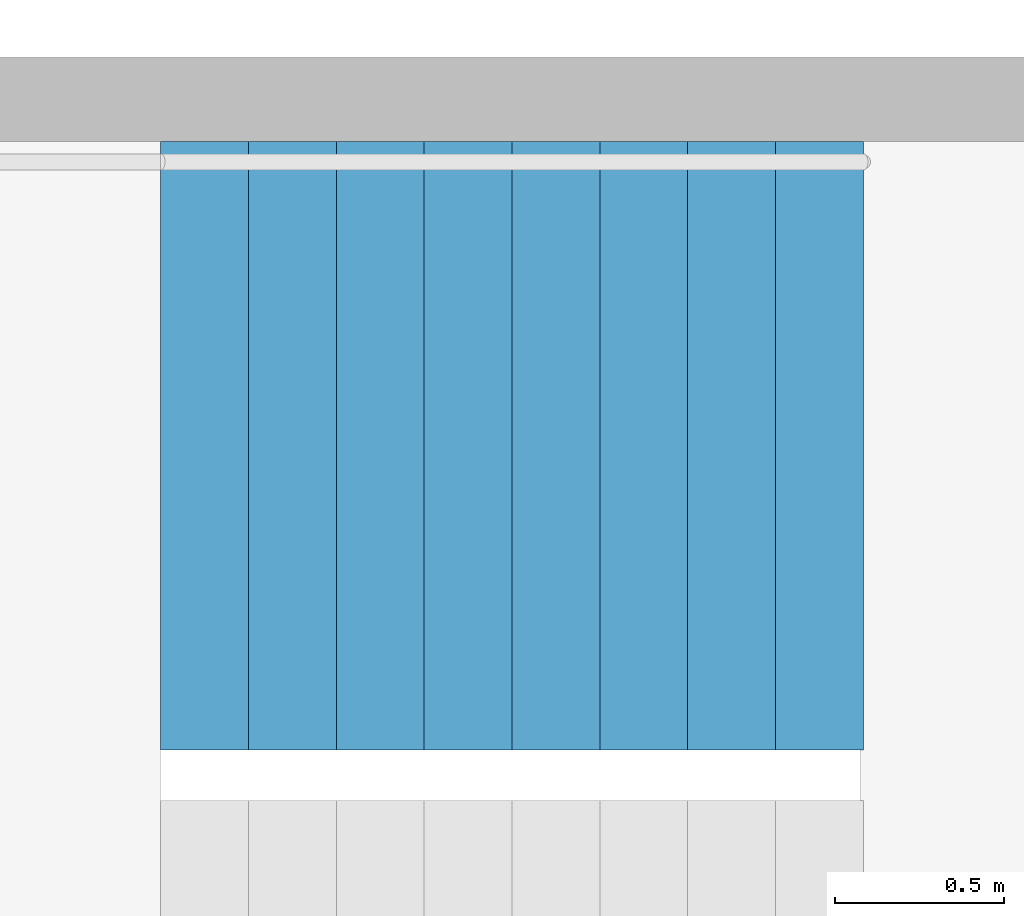
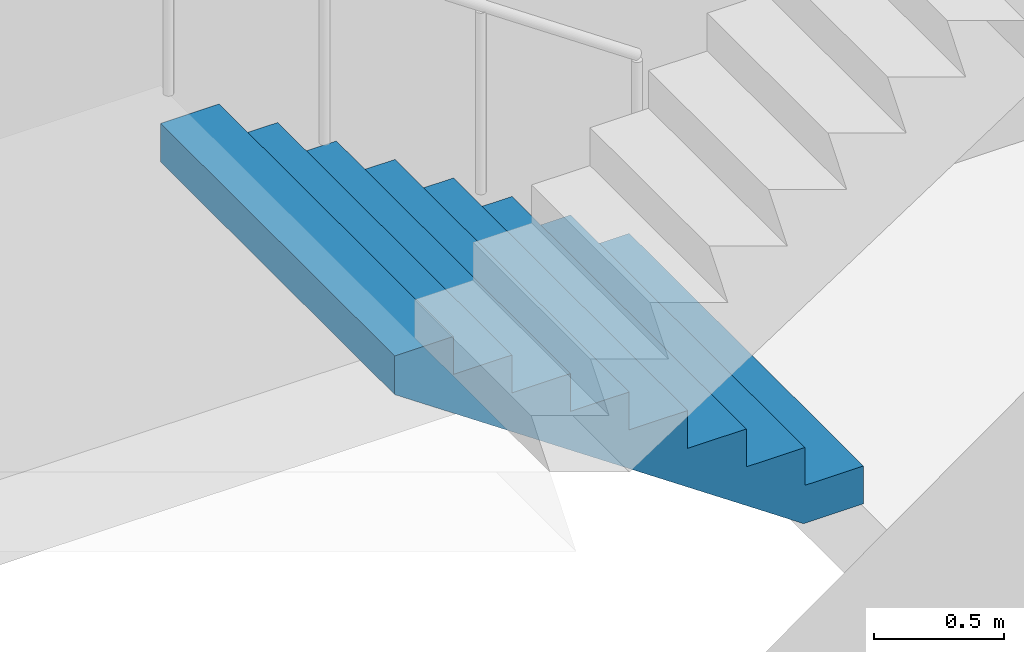
# One storey, part 22 of 29: 1 stair flight, 1 element without a shape of its own.
"""IFC4 building model written with IfcOpenShell, lengths in metres."""

from ifc_helpers import new_model, si_unit, direction, frame, origin, place, context, subcontext, project, spatial, triangles, material, type_object, element, aggregate, save


model = new_model("IFC4")

# Units and contexts
model_context = context("Model", 3, precision=1e-05, world=origin(), true_north=direction((0.0, 1.0)))
body_context = subcontext(model_context, "Body", "Model", "MODEL_VIEW")
ifc_project = project(units=[si_unit("LENGTHUNIT", "METRE"), si_unit("AREAUNIT", "SQUARE_METRE"), si_unit("VOLUMEUNIT", "CUBIC_METRE"), si_unit("PLANEANGLEUNIT", "RADIAN"), si_unit("MASSUNIT", "GRAM", prefix="KILO")], contexts=[model_context])

# Site, building, storey
site_placement = place(None, origin())
site = spatial("IfcSite", under=ifc_project, at=site_placement, CompositionType="ELEMENT")
building_placement = place(site_placement, origin())
building = spatial("IfcBuilding", under=site, at=building_placement, Name="Hakoniwa Tower and Hamabe Station Hall", CompositionType="ELEMENT")
storey_placement = place(building_placement, frame((0.0, 0.0, 61.39990234375)))
storey = spatial("IfcBuildingStorey", under=building, at=storey_placement, Name="L17", CompositionType="ELEMENT", Elevation=61.39990234375)

# Stair, stair flight
ifc_material_1 = material(Name="Concrete C40", Category="concrete")
stair_type = type_object("IfcStairType", Name="ESCAPE STAIR 1800", PredefinedType="HALF_TURN_STAIR", material=ifc_material_1)
stair_placement = place(storey_placement, origin())
stair = element("IfcStair", 1, at=stair_placement, inside=storey, type_object=stair_type, Name="Escape stair ST-2 L17", PredefinedType="HALF_TURN_STAIR")
ifc_material_2 = material(Name="Concrete C40", Category="concrete")
stair_flight_type = type_object("IfcStairFlightType", Name="STAIR FLIGHT 1800", PredefinedType="STRAIGHT", material=ifc_material_2)
stair_flight_placement = place(storey_placement, frame((-23.39990234375, -4.64990234375, 0.0), z_axis=(0.0, 0.0, 1.0), x_axis=(-1.0, 0.0, 0.0)))
stair_flight = element("IfcStairFlight", 2, at=stair_flight_placement, type_object=stair_flight_type, Name="ST-2 flight 1", NumberOfRisers=9, NumberOfTreads=8, PredefinedType="STRAIGHT", RiserHeight=0.177777778, TreadLength=0.26, context=body_context, shape_type="Tessellation", body=[
    triangles([(0.0, 0.89990234375, 0.0), (0.260009765625, 0.89990234375, 0.0), (0.265625, 0.89990234375, 0.0), (0.52001953125, 0.89990234375, 0.174072265625), (0.780029296875, 0.89990234375, 0.351806640625), (1.0400390625, 0.89990234375, 0.529541015625), (1.300048828125, 0.89990234375, 0.707275390625), (1.56005859375, 0.89990234375, 0.885009765625), (1.820068359375, 0.89990234375, 1.062744140625), (2.080078125, 0.89990234375, 1.24072265625), (2.080078125, 0.89990234375, 1.422119140625), (1.820068359375, 0.89990234375, 1.422119140625), (1.820068359375, 0.89990234375, 1.244384765625), (1.56005859375, 0.89990234375, 1.244384765625), (1.56005859375, 0.89990234375, 1.066650390625), (1.300048828125, 0.89990234375, 1.066650390625), (1.300048828125, 0.89990234375, 0.888916015625), (1.0400390625, 0.89990234375, 0.888916015625), (1.0400390625, 0.89990234375, 0.711181640625), (0.780029296875, 0.89990234375, 0.711181640625), (0.780029296875, 0.89990234375, 0.533447265625), (0.52001953125, 0.89990234375, 0.533447265625), (0.52001953125, 0.89990234375, 0.35546875), (0.265625, 0.89990234375, 0.35546875), (0.260009765625, 0.89990234375, 0.35546875), (0.260009765625, 0.89990234375, 0.177734375), (0.0, 0.89990234375, 0.177734375), (0.0, 0.06005859375, 0.0), (0.260009765625, 0.06005859375, 0.0), (0.265625, 0.06005859375, 0.0), (0.52001953125, 0.06005859375, 0.174072265625), (0.780029296875, 0.06005859375, 0.351806640625), (1.0400390625, 0.06005859375, 0.529541015625), (1.300048828125, 0.06005859375, 0.707275390625), (1.56005859375, 0.06005859375, 0.885009765625), (1.820068359375, 0.06005859375, 1.062744140625), (2.080078125, 0.06005859375, 1.24072265625), (2.080078125, 0.06005859375, 1.422119140625), (1.820068359375, 0.06005859375, 1.422119140625), (1.820068359375, 0.06005859375, 1.244384765625), (1.56005859375, 0.06005859375, 1.244384765625), (1.56005859375, 0.06005859375, 1.066650390625), (1.300048828125, 0.06005859375, 1.066650390625), (1.300048828125, 0.06005859375, 0.888916015625), (1.0400390625, 0.06005859375, 0.888916015625), (1.0400390625, 0.06005859375, 0.711181640625), (0.780029296875, 0.06005859375, 0.711181640625), (0.780029296875, 0.06005859375, 0.533447265625), (0.52001953125, 0.06005859375, 0.533447265625), (0.52001953125, 0.06005859375, 0.35546875), (0.265625, 0.06005859375, 0.35546875), (0.260009765625, 0.06005859375, 0.35546875), (0.260009765625, 0.06005859375, 0.177734375), (0.0, 0.06005859375, 0.177734375), (0.0, 0.04296875, 0.0), (0.260009765625, 0.04296875, 0.0), (0.265625, 0.04296875, 0.0), (0.52001953125, 0.04296875, 0.174072265625), (0.780029296875, 0.04296875, 0.351806640625), (1.0400390625, 0.04296875, 0.529541015625), (1.300048828125, 0.04296875, 0.707275390625), (1.56005859375, 0.04296875, 0.885009765625), (1.820068359375, 0.04296875, 1.062744140625), (2.080078125, 0.04296875, 1.24072265625), (2.080078125, 0.04296875, 1.422119140625), (1.820068359375, 0.04296875, 1.422119140625), (1.820068359375, 0.04296875, 1.244384765625), (1.56005859375, 0.04296875, 1.244384765625), (1.56005859375, 0.04296875, 1.066650390625), (1.300048828125, 0.04296875, 1.066650390625), (1.300048828125, 0.04296875, 0.888916015625), (1.0400390625, 0.04296875, 0.888916015625), (1.0400390625, 0.04296875, 0.711181640625), (0.780029296875, 0.04296875, 0.711181640625), (0.780029296875, 0.04296875, 0.533447265625), (0.52001953125, 0.04296875, 0.533447265625), (0.52001953125, 0.04296875, 0.35546875), (0.265625, 0.04296875, 0.35546875), (0.260009765625, 0.04296875, 0.35546875), (0.260009765625, 0.04296875, 0.177734375), (0.0, 0.04296875, 0.177734375), (0.0, 0.025634765625, 0.0), (0.260009765625, 0.025634765625, 0.0), (0.265625, 0.025634765625, 0.0), (0.52001953125, 0.025634765625, 0.174072265625), (0.780029296875, 0.025634765625, 0.351806640625), (1.0400390625, 0.025634765625, 0.529541015625), (1.300048828125, 0.025634765625, 0.707275390625), (1.56005859375, 0.025634765625, 0.885009765625), (1.820068359375, 0.025634765625, 1.062744140625), (2.080078125, 0.025634765625, 1.24072265625), (2.080078125, 0.025634765625, 1.422119140625), (1.820068359375, 0.025634765625, 1.422119140625), (1.820068359375, 0.025634765625, 1.244384765625), (1.56005859375, 0.025634765625, 1.244384765625), (1.56005859375, 0.025634765625, 1.066650390625), (1.300048828125, 0.025634765625, 1.066650390625), (1.300048828125, 0.025634765625, 0.888916015625), (1.0400390625, 0.025634765625, 0.888916015625), (1.0400390625, 0.025634765625, 0.711181640625), (0.780029296875, 0.025634765625, 0.711181640625), (0.780029296875, 0.025634765625, 0.533447265625), (0.52001953125, 0.025634765625, 0.533447265625), (0.52001953125, 0.025634765625, 0.35546875), (0.265625, 0.025634765625, 0.35546875), (0.260009765625, 0.025634765625, 0.35546875), (0.260009765625, 0.025634765625, 0.177734375), (0.0, 0.025634765625, 0.177734375), (0.0, 0.008544921875, 0.0), (0.260009765625, 0.008544921875, 0.0), (0.265625, 0.008544921875, 0.0), (0.52001953125, 0.008544921875, 0.174072265625), (0.780029296875, 0.008544921875, 0.351806640625), (1.0400390625, 0.008544921875, 0.529541015625), (1.300048828125, 0.008544921875, 0.707275390625), (1.56005859375, 0.008544921875, 0.885009765625), (1.820068359375, 0.008544921875, 1.062744140625), (2.080078125, 0.008544921875, 1.24072265625), (2.080078125, 0.008544921875, 1.422119140625), (1.820068359375, 0.008544921875, 1.422119140625), (1.820068359375, 0.008544921875, 1.244384765625), (1.56005859375, 0.008544921875, 1.244384765625), (1.56005859375, 0.008544921875, 1.066650390625), (1.300048828125, 0.008544921875, 1.066650390625), (1.300048828125, 0.008544921875, 0.888916015625), (1.0400390625, 0.008544921875, 0.888916015625), (1.0400390625, 0.008544921875, 0.711181640625), (0.780029296875, 0.008544921875, 0.711181640625), (0.780029296875, 0.008544921875, 0.533447265625), (0.52001953125, 0.008544921875, 0.533447265625), (0.52001953125, 0.008544921875, 0.35546875), (0.265625, 0.008544921875, 0.35546875), (0.260009765625, 0.008544921875, 0.35546875), (0.260009765625, 0.008544921875, 0.177734375), (0.0, 0.008544921875, 0.177734375), (0.0, -0.008544921875, 0.0), (0.260009765625, -0.008544921875, 0.0), (0.265625, -0.008544921875, 0.0), (0.52001953125, -0.008544921875, 0.174072265625), (0.780029296875, -0.008544921875, 0.351806640625), (1.0400390625, -0.008544921875, 0.529541015625), (1.300048828125, -0.008544921875, 0.707275390625), (1.56005859375, -0.008544921875, 0.885009765625), (1.820068359375, -0.008544921875, 1.062744140625), (2.080078125, -0.008544921875, 1.24072265625), (2.080078125, -0.008544921875, 1.422119140625), (1.820068359375, -0.008544921875, 1.422119140625), (1.820068359375, -0.008544921875, 1.244384765625), (1.56005859375, -0.008544921875, 1.244384765625), (1.56005859375, -0.008544921875, 1.066650390625), (1.300048828125, -0.008544921875, 1.066650390625), (1.300048828125, -0.008544921875, 0.888916015625), (1.0400390625, -0.008544921875, 0.888916015625), (1.0400390625, -0.008544921875, 0.711181640625), (0.780029296875, -0.008544921875, 0.711181640625), (0.780029296875, -0.008544921875, 0.533447265625), (0.52001953125, -0.008544921875, 0.533447265625), (0.52001953125, -0.008544921875, 0.35546875), (0.265625, -0.008544921875, 0.35546875), (0.260009765625, -0.008544921875, 0.35546875), (0.260009765625, -0.008544921875, 0.177734375), (0.0, -0.008544921875, 0.177734375), (0.0, -0.025634765625, 0.0), (0.260009765625, -0.025634765625, 0.0), (0.265625, -0.025634765625, 0.0), (0.52001953125, -0.025634765625, 0.174072265625), (0.780029296875, -0.025634765625, 0.351806640625), (1.0400390625, -0.025634765625, 0.529541015625), (1.300048828125, -0.025634765625, 0.707275390625), (1.56005859375, -0.025634765625, 0.885009765625), (1.820068359375, -0.025634765625, 1.062744140625), (2.080078125, -0.025634765625, 1.24072265625), (2.080078125, -0.025634765625, 1.422119140625), (1.820068359375, -0.025634765625, 1.422119140625), (1.820068359375, -0.025634765625, 1.244384765625), (1.56005859375, -0.025634765625, 1.244384765625), (1.56005859375, -0.025634765625, 1.066650390625), (1.300048828125, -0.025634765625, 1.066650390625), (1.300048828125, -0.025634765625, 0.888916015625), (1.0400390625, -0.025634765625, 0.888916015625), (1.0400390625, -0.025634765625, 0.711181640625), (0.780029296875, -0.025634765625, 0.711181640625), (0.780029296875, -0.025634765625, 0.533447265625), (0.52001953125, -0.025634765625, 0.533447265625), (0.52001953125, -0.025634765625, 0.35546875), (0.265625, -0.025634765625, 0.35546875), (0.260009765625, -0.025634765625, 0.35546875), (0.260009765625, -0.025634765625, 0.177734375), (0.0, -0.025634765625, 0.177734375), (0.0, -0.04296875, 0.0), (0.260009765625, -0.04296875, 0.0), (0.265625, -0.04296875, 0.0), (0.52001953125, -0.04296875, 0.174072265625), (0.780029296875, -0.04296875, 0.351806640625), (1.0400390625, -0.04296875, 0.529541015625), (1.300048828125, -0.04296875, 0.707275390625), (1.56005859375, -0.04296875, 0.885009765625), (1.820068359375, -0.04296875, 1.062744140625), (2.080078125, -0.04296875, 1.24072265625), (2.080078125, -0.04296875, 1.422119140625), (1.820068359375, -0.04296875, 1.422119140625), (1.820068359375, -0.04296875, 1.244384765625), (1.56005859375, -0.04296875, 1.244384765625), (1.56005859375, -0.04296875, 1.066650390625), (1.300048828125, -0.04296875, 1.066650390625), (1.300048828125, -0.04296875, 0.888916015625), (1.0400390625, -0.04296875, 0.888916015625), (1.0400390625, -0.04296875, 0.711181640625), (0.780029296875, -0.04296875, 0.711181640625), (0.780029296875, -0.04296875, 0.533447265625), (0.52001953125, -0.04296875, 0.533447265625), (0.52001953125, -0.04296875, 0.35546875), (0.265625, -0.04296875, 0.35546875), (0.260009765625, -0.04296875, 0.35546875), (0.260009765625, -0.04296875, 0.177734375), (0.0, -0.04296875, 0.177734375), (0.0, -0.06005859375, 0.0), (0.260009765625, -0.06005859375, 0.0), (0.265625, -0.06005859375, 0.0), (0.52001953125, -0.06005859375, 0.174072265625), (0.780029296875, -0.06005859375, 0.351806640625), (1.0400390625, -0.06005859375, 0.529541015625), (1.300048828125, -0.06005859375, 0.707275390625), (1.56005859375, -0.06005859375, 0.885009765625), (1.820068359375, -0.06005859375, 1.062744140625), (2.080078125, -0.06005859375, 1.24072265625), (2.080078125, -0.06005859375, 1.422119140625), (1.820068359375, -0.06005859375, 1.422119140625), (1.820068359375, -0.06005859375, 1.244384765625), (1.56005859375, -0.06005859375, 1.244384765625), (1.56005859375, -0.06005859375, 1.066650390625), (1.300048828125, -0.06005859375, 1.066650390625), (1.300048828125, -0.06005859375, 0.888916015625), (1.0400390625, -0.06005859375, 0.888916015625), (1.0400390625, -0.06005859375, 0.711181640625), (0.780029296875, -0.06005859375, 0.711181640625), (0.780029296875, -0.06005859375, 0.533447265625), (0.52001953125, -0.06005859375, 0.533447265625), (0.52001953125, -0.06005859375, 0.35546875), (0.265625, -0.06005859375, 0.35546875), (0.260009765625, -0.06005859375, 0.35546875), (0.260009765625, -0.06005859375, 0.177734375), (0.0, -0.06005859375, 0.177734375), (0.0, -0.89990234375, 0.0), (0.260009765625, -0.89990234375, 0.0), (0.265625, -0.89990234375, 0.0), (0.52001953125, -0.89990234375, 0.174072265625), (0.780029296875, -0.89990234375, 0.351806640625), (1.0400390625, -0.89990234375, 0.529541015625), (1.300048828125, -0.89990234375, 0.707275390625), (1.56005859375, -0.89990234375, 0.885009765625), (1.820068359375, -0.89990234375, 1.062744140625), (2.080078125, -0.89990234375, 1.24072265625), (2.080078125, -0.89990234375, 1.422119140625), (1.820068359375, -0.89990234375, 1.422119140625), (1.820068359375, -0.89990234375, 1.244384765625), (1.56005859375, -0.89990234375, 1.244384765625), (1.56005859375, -0.89990234375, 1.066650390625), (1.300048828125, -0.89990234375, 1.066650390625), (1.300048828125, -0.89990234375, 0.888916015625), (1.0400390625, -0.89990234375, 0.888916015625), (1.0400390625, -0.89990234375, 0.711181640625), (0.780029296875, -0.89990234375, 0.711181640625), (0.780029296875, -0.89990234375, 0.533447265625), (0.52001953125, -0.89990234375, 0.533447265625), (0.52001953125, -0.89990234375, 0.35546875), (0.265625, -0.89990234375, 0.35546875), (0.260009765625, -0.89990234375, 0.35546875), (0.260009765625, -0.89990234375, 0.177734375), (0.0, -0.89990234375, 0.177734375)], [[2, 27, 26], [245, 269, 270], [2, 1, 27], [245, 270, 244], [3, 25, 24], [246, 267, 268], [3, 26, 25], [246, 268, 269], [3, 2, 26], [246, 269, 245], [4, 24, 23], [247, 266, 267], [4, 3, 24], [247, 267, 246], [5, 22, 21], [248, 264, 265], [5, 23, 22], [248, 265, 266], [5, 4, 23], [248, 266, 247], [6, 20, 19], [249, 262, 263], [6, 21, 20], [249, 263, 264], [6, 5, 21], [249, 264, 248], [7, 18, 17], [250, 260, 261], [7, 19, 18], [250, 261, 262], [7, 6, 19], [250, 262, 249], [8, 16, 15], [251, 258, 259], [8, 17, 16], [251, 259, 260], [8, 7, 17], [251, 260, 250], [9, 14, 13], [252, 256, 257], [9, 15, 14], [252, 257, 258], [9, 8, 15], [252, 258, 251], [10, 12, 11], [253, 254, 255], [10, 13, 12], [253, 255, 256], [10, 9, 13], [253, 256, 252], [1, 2, 29], [1, 29, 28], [28, 29, 56], [28, 56, 55], [55, 56, 83], [55, 83, 82], [82, 83, 110], [82, 110, 109], [109, 110, 137], [109, 137, 136], [136, 137, 164], [136, 164, 163], [163, 164, 191], [163, 191, 190], [190, 191, 218], [190, 218, 217], [217, 218, 245], [217, 245, 244], [2, 3, 30], [2, 30, 29], [29, 30, 57], [29, 57, 56], [56, 57, 84], [56, 84, 83], [83, 84, 111], [83, 111, 110], [110, 111, 138], [110, 138, 137], [137, 138, 165], [137, 165, 164], [164, 165, 192], [164, 192, 191], [191, 192, 219], [191, 219, 218], [218, 219, 246], [218, 246, 245], [3, 4, 31], [3, 31, 30], [30, 31, 58], [30, 58, 57], [57, 58, 85], [57, 85, 84], [84, 85, 112], [84, 112, 111], [111, 112, 139], [111, 139, 138], [138, 139, 166], [138, 166, 165], [165, 166, 193], [165, 193, 192], [192, 193, 220], [192, 220, 219], [219, 220, 247], [219, 247, 246], [4, 5, 32], [4, 32, 31], [31, 32, 59], [31, 59, 58], [58, 59, 86], [58, 86, 85], [85, 86, 113], [85, 113, 112], [112, 113, 140], [112, 140, 139], [139, 140, 167], [139, 167, 166], [166, 167, 194], [166, 194, 193], [193, 194, 221], [193, 221, 220], [220, 221, 248], [220, 248, 247], [5, 6, 33], [5, 33, 32], [32, 33, 60], [32, 60, 59], [59, 60, 87], [59, 87, 86], [86, 87, 114], [86, 114, 113], [113, 114, 141], [113, 141, 140], [140, 141, 168], [140, 168, 167], [167, 168, 195], [167, 195, 194], [194, 195, 222], [194, 222, 221], [221, 222, 249], [221, 249, 248], [6, 7, 34], [6, 34, 33], [33, 34, 61], [33, 61, 60], [60, 61, 88], [60, 88, 87], [87, 88, 115], [87, 115, 114], [114, 115, 142], [114, 142, 141], [141, 142, 169], [141, 169, 168], [168, 169, 196], [168, 196, 195], [195, 196, 223], [195, 223, 222], [222, 223, 250], [222, 250, 249], [7, 8, 35], [7, 35, 34], [34, 35, 62], [34, 62, 61], [61, 62, 89], [61, 89, 88], [88, 89, 116], [88, 116, 115], [115, 116, 143], [115, 143, 142], [142, 143, 170], [142, 170, 169], [169, 170, 197], [169, 197, 196], [196, 197, 224], [196, 224, 223], [223, 224, 251], [223, 251, 250], [8, 9, 36], [8, 36, 35], [35, 36, 63], [35, 63, 62], [62, 63, 90], [62, 90, 89], [89, 90, 117], [89, 117, 116], [116, 117, 144], [116, 144, 143], [143, 144, 171], [143, 171, 170], [170, 171, 198], [170, 198, 197], [197, 198, 225], [197, 225, 224], [224, 225, 252], [224, 252, 251], [9, 10, 37], [9, 37, 36], [36, 37, 64], [36, 64, 63], [63, 64, 91], [63, 91, 90], [90, 91, 118], [90, 118, 117], [117, 118, 145], [117, 145, 144], [144, 145, 172], [144, 172, 171], [171, 172, 199], [171, 199, 198], [198, 199, 226], [198, 226, 225], [225, 226, 253], [225, 253, 252], [10, 11, 38], [10, 38, 37], [37, 38, 65], [37, 65, 64], [64, 65, 92], [64, 92, 91], [91, 92, 119], [91, 119, 118], [118, 119, 146], [118, 146, 145], [145, 146, 173], [145, 173, 172], [172, 173, 200], [172, 200, 199], [199, 200, 227], [199, 227, 226], [226, 227, 254], [226, 254, 253], [11, 12, 39], [11, 39, 38], [38, 39, 66], [38, 66, 65], [65, 66, 93], [65, 93, 92], [92, 93, 120], [92, 120, 119], [119, 120, 147], [119, 147, 146], [146, 147, 174], [146, 174, 173], [173, 174, 201], [173, 201, 200], [200, 201, 228], [200, 228, 227], [227, 228, 255], [227, 255, 254], [12, 13, 40], [12, 40, 39], [39, 40, 67], [39, 67, 66], [66, 67, 94], [66, 94, 93], [93, 94, 121], [93, 121, 120], [120, 121, 148], [120, 148, 147], [147, 148, 175], [147, 175, 174], [174, 175, 202], [174, 202, 201], [201, 202, 229], [201, 229, 228], [228, 229, 256], [228, 256, 255], [13, 14, 41], [13, 41, 40], [40, 41, 68], [40, 68, 67], [67, 68, 95], [67, 95, 94], [94, 95, 122], [94, 122, 121], [121, 122, 149], [121, 149, 148], [148, 149, 176], [148, 176, 175], [175, 176, 203], [175, 203, 202], [202, 203, 230], [202, 230, 229], [229, 230, 257], [229, 257, 256], [14, 15, 42], [14, 42, 41], [41, 42, 69], [41, 69, 68], [68, 69, 96], [68, 96, 95], [95, 96, 123], [95, 123, 122], [122, 123, 150], [122, 150, 149], [149, 150, 177], [149, 177, 176], [176, 177, 204], [176, 204, 203], [203, 204, 231], [203, 231, 230], [230, 231, 258], [230, 258, 257], [15, 16, 43], [15, 43, 42], [42, 43, 70], [42, 70, 69], [69, 70, 97], [69, 97, 96], [96, 97, 124], [96, 124, 123], [123, 124, 151], [123, 151, 150], [150, 151, 178], [150, 178, 177], [177, 178, 205], [177, 205, 204], [204, 205, 232], [204, 232, 231], [231, 232, 259], [231, 259, 258], [16, 17, 44], [16, 44, 43], [43, 44, 71], [43, 71, 70], [70, 71, 98], [70, 98, 97], [97, 98, 125], [97, 125, 124], [124, 125, 152], [124, 152, 151], [151, 152, 179], [151, 179, 178], [178, 179, 206], [178, 206, 205], [205, 206, 233], [205, 233, 232], [232, 233, 260], [232, 260, 259], [17, 18, 45], [17, 45, 44], [44, 45, 72], [44, 72, 71], [71, 72, 99], [71, 99, 98], [98, 99, 126], [98, 126, 125], [125, 126, 153], [125, 153, 152], [152, 153, 180], [152, 180, 179], [179, 180, 207], [179, 207, 206], [206, 207, 234], [206, 234, 233], [233, 234, 261], [233, 261, 260], [18, 19, 46], [18, 46, 45], [45, 46, 73], [45, 73, 72], [72, 73, 100], [72, 100, 99], [99, 100, 127], [99, 127, 126], [126, 127, 154], [126, 154, 153], [153, 154, 181], [153, 181, 180], [180, 181, 208], [180, 208, 207], [207, 208, 235], [207, 235, 234], [234, 235, 262], [234, 262, 261], [19, 20, 47], [19, 47, 46], [46, 47, 74], [46, 74, 73], [73, 74, 101], [73, 101, 100], [100, 101, 128], [100, 128, 127], [127, 128, 155], [127, 155, 154], [154, 155, 182], [154, 182, 181], [181, 182, 209], [181, 209, 208], [208, 209, 236], [208, 236, 235], [235, 236, 263], [235, 263, 262], [20, 21, 48], [20, 48, 47], [47, 48, 75], [47, 75, 74], [74, 75, 102], [74, 102, 101], [101, 102, 129], [101, 129, 128], [128, 129, 156], [128, 156, 155], [155, 156, 183], [155, 183, 182], [182, 183, 210], [182, 210, 209], [209, 210, 237], [209, 237, 236], [236, 237, 264], [236, 264, 263], [21, 22, 49], [21, 49, 48], [48, 49, 76], [48, 76, 75], [75, 76, 103], [75, 103, 102], [102, 103, 130], [102, 130, 129], [129, 130, 157], [129, 157, 156], [156, 157, 184], [156, 184, 183], [183, 184, 211], [183, 211, 210], [210, 211, 238], [210, 238, 237], [237, 238, 265], [237, 265, 264], [22, 23, 50], [22, 50, 49], [49, 50, 77], [49, 77, 76], [76, 77, 104], [76, 104, 103], [103, 104, 131], [103, 131, 130], [130, 131, 158], [130, 158, 157], [157, 158, 185], [157, 185, 184], [184, 185, 212], [184, 212, 211], [211, 212, 239], [211, 239, 238], [238, 239, 266], [238, 266, 265], [23, 24, 51], [23, 51, 50], [50, 51, 78], [50, 78, 77], [77, 78, 105], [77, 105, 104], [104, 105, 132], [104, 132, 131], [131, 132, 159], [131, 159, 158], [158, 159, 186], [158, 186, 185], [185, 186, 213], [185, 213, 212], [212, 213, 240], [212, 240, 239], [239, 240, 267], [239, 267, 266], [24, 25, 52], [24, 52, 51], [51, 52, 79], [51, 79, 78], [78, 79, 106], [78, 106, 105], [105, 106, 133], [105, 133, 132], [132, 133, 160], [132, 160, 159], [159, 160, 187], [159, 187, 186], [186, 187, 214], [186, 214, 213], [213, 214, 241], [213, 241, 240], [240, 241, 268], [240, 268, 267], [25, 26, 53], [25, 53, 52], [52, 53, 80], [52, 80, 79], [79, 80, 107], [79, 107, 106], [106, 107, 134], [106, 134, 133], [133, 134, 161], [133, 161, 160], [160, 161, 188], [160, 188, 187], [187, 188, 215], [187, 215, 214], [214, 215, 242], [214, 242, 241], [241, 242, 269], [241, 269, 268], [26, 27, 54], [26, 54, 53], [53, 54, 81], [53, 81, 80], [80, 81, 108], [80, 108, 107], [107, 108, 135], [107, 135, 134], [134, 135, 162], [134, 162, 161], [161, 162, 189], [161, 189, 188], [188, 189, 216], [188, 216, 215], [215, 216, 243], [215, 243, 242], [242, 243, 270], [242, 270, 269], [27, 1, 28], [27, 28, 54], [54, 28, 55], [54, 55, 81], [81, 55, 82], [81, 82, 108], [108, 82, 109], [108, 109, 135], [135, 109, 136], [135, 136, 162], [162, 136, 163], [162, 163, 189], [189, 163, 190], [189, 190, 216], [216, 190, 217], [216, 217, 243], [243, 217, 244], [243, 244, 270]], closed=True),
])
aggregate(stair, [stair_flight])

save(model, "model.ifc")
